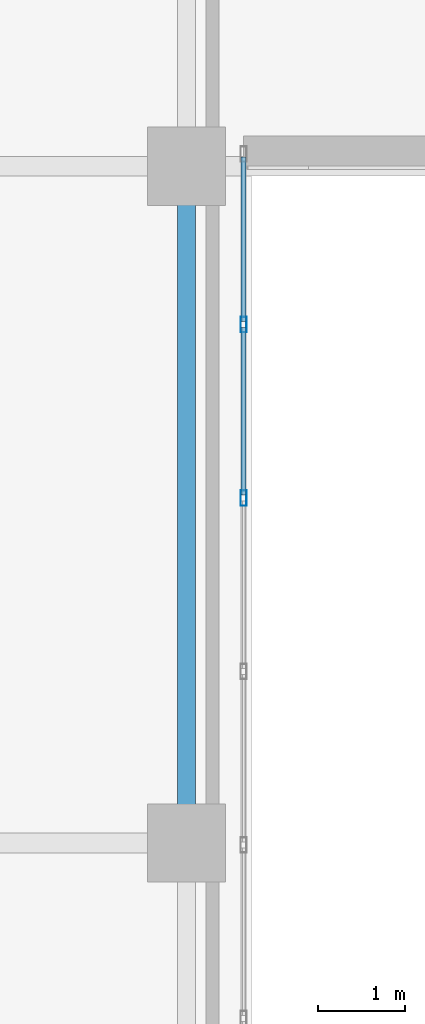
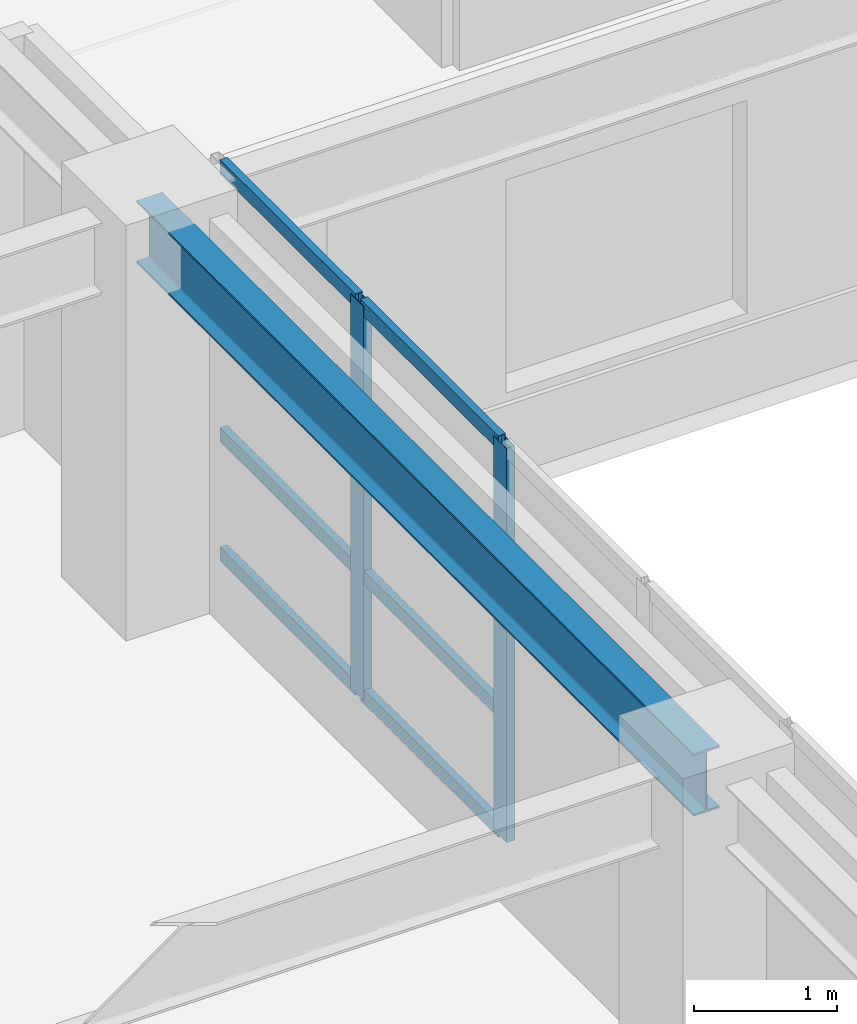
# One storey, part 3 of 24: 8 members, 1 beam, 1 element without a shape of its own.
"""IFC4 building model written with IfcOpenShell, lengths in metres."""

from ifc_helpers import new_model, si_unit, direction, frame, origin, origin_2d, place, context, subcontext, project, spatial, hollow_rectangle, i_section, extrude, source, transform, mapped, material, layer, layer_set, material_profile, profile_set, type_object, type_shapes, element, aggregate, save


model = new_model("IFC4")

# Units and contexts
model_context = context("Model", 3, precision=1e-05, world=origin(), true_north=direction((0.0, 1.0)))
body_context = subcontext(model_context, "Body", "Model", "MODEL_VIEW")
ifc_project = project(units=[si_unit("LENGTHUNIT", "METRE"), si_unit("AREAUNIT", "SQUARE_METRE"), si_unit("VOLUMEUNIT", "CUBIC_METRE"), si_unit("PLANEANGLEUNIT", "RADIAN"), si_unit("MASSUNIT", "GRAM", prefix="KILO")], contexts=[model_context])

# Site, building, storey
site_placement = place(None, origin())
site = spatial("IfcSite", under=ifc_project, at=site_placement, CompositionType="ELEMENT")
building_placement = place(site_placement, origin())
building = spatial("IfcBuilding", under=site, at=building_placement, Name="Tolvann Quenvar Hotel", CompositionType="ELEMENT")
storey_placement = place(building_placement, frame((0.0, 0.0, 88.800048828125)))
storey = spatial("IfcBuildingStorey", under=building, at=storey_placement, Name="L22", CompositionType="ELEMENT", Elevation=88.800048828125)

# Beam
ifc_material_1 = material(Name="Steel Grade 350", Category="steel")
ifc_material_profile_1 = material_profile(ifc_material_1, i_section(OverallWidth=0.208984375, OverallDepth=0.532958984375, WebThickness=0.01025390625, FlangeThickness=0.015625, FilletRadius=0.013916015625, at=origin_2d()), Name="530UB92")
ifc_profile_set_1 = profile_set([ifc_material_profile_1], Name="Steel Grade 350")
beam_type = type_object("IfcBeamType", Name="BM_GIRD_530UB92", PredefinedType="BEAM", material=ifc_profile_set_1)
shared_shape_1 = source(origin(), body_context, "Body", "SweptSolid", [
    extrude(i_section(OverallWidth=0.208984375, OverallDepth=0.532958984375, WebThickness=0.01025390625, FlangeThickness=0.015625, FilletRadius=0.013916015625, at=origin_2d()), origin(), (0.0, 0.0, 1.0), 7.800048828125),
])
type_shapes(beam_type, [shared_shape_1])
beam_placement = place(storey_placement, frame((22.050048828125, 8.199951171875, 3.103515625), z_axis=(0.0, 1.0, 0.0), x_axis=(-1.0, 0.0, 0.0)))
element("IfcBeam", 1, at=beam_placement, inside=storey, type_object=beam_type, Name="BM-L22-NS-E3-E4", PredefinedType="BEAM", context=body_context, shape_type="MappedRepresentation", body=[
    mapped(shared_shape_1, transform((0.0, 0.0, 0.0), x_axis=(1.0, 0.0, 0.0), y_axis=(0.0, 1.0, 0.0), z_axis=(0.0, 0.0, 1.0), scale=1.0)),
])

# Curtain wall, members
ifc_material_2 = material(Name="Thermally broken anodised architectural aluminium 6063-T6 and laminated low-E glass", Category="aluminium")
ifc_layer = layer(ifc_material_2, 0.179931640625)
ifc_layer_set = layer_set([ifc_layer], Name="Thermally broken anodised architectural aluminium 6063-T6 and laminated low-E glass")
curtain_wall_type = type_object("IfcCurtainWallType", Name="CW_SYS_SLOT_03", PredefinedType="USERDEFINED", material=ifc_layer_set)
curtain_wall_placement = place(storey_placement, origin())
curtain_wall = element("IfcCurtainWall", 2, at=curtain_wall_placement, inside=storey, type_object=curtain_wall_type, Name="Curtain Wall CW-SLOT-03 (CWR-L22-E05)", ObjectType="UNITISED CURTAIN WALL", PredefinedType="USERDEFINED")
ifc_material_3 = material(Name="Anodised architectural aluminium 6063-T6 framing", Category="aluminium")
ifc_material_profile_2 = material_profile(ifc_material_3, hollow_rectangle(XDim=0.06005859375, YDim=0.1201171875, WallThickness=0.00341796875, at=origin_2d()), Name="120x60x3.5RHS")
ifc_profile_set_2 = profile_set([ifc_material_profile_2], Name="Anodised architectural aluminium 6063-T6 framing")
member_type_1 = type_object("IfcMemberType", Name="CW_TRAN_120x60", PredefinedType="USERDEFINED", material=ifc_profile_set_2)
shared_shape_2 = source(origin(), body_context, "Body", "SweptSolid", [
    extrude(hollow_rectangle(XDim=0.06005859375, YDim=0.1201171875, WallThickness=0.00341796875, at=origin_2d()), origin(), (0.0, 0.0, 1.0), 1.929931640625),
])
member_1_placement = place(storey_placement, frame((22.7099609375, 12.2099609375, 0.030029296875), z_axis=(0.0, 1.0, 0.0), x_axis=(-1.0, 0.0, 0.0)))
member_1 = element("IfcMember", 3, at=member_1_placement, type_object=member_type_1, Name="CW-SLOT-03 transom 7.1", ObjectType="TRANSOM", PredefinedType="USERDEFINED", context=body_context, shape_type="MappedRepresentation", body=[
    mapped(shared_shape_2, transform((0.0, 0.0, 0.0), x_axis=(1.0, 0.0, 0.0), y_axis=(0.0, 1.0, 0.0), z_axis=(0.0, 0.0, 1.0), scale=1.0)),
])
member_2_placement = place(storey_placement, frame((22.7099609375, 12.2099609375, 1.050048828125), z_axis=(0.0, 1.0, 0.0), x_axis=(-1.0, 0.0, 0.0)))
member_2 = element("IfcMember", 4, at=member_2_placement, type_object=member_type_1, Name="CW-SLOT-03 transom 7.2", ObjectType="TRANSOM", PredefinedType="USERDEFINED", context=body_context, shape_type="MappedRepresentation", body=[
    mapped(shared_shape_2, transform((0.0, 0.0, 0.0), x_axis=(1.0, 0.0, 0.0), y_axis=(0.0, 1.0, 0.0), z_axis=(0.0, 0.0, 1.0), scale=1.0)),
])
member_3_placement = place(storey_placement, frame((22.7099609375, 12.2099609375, 3.33984375), z_axis=(0.0, 1.0, 0.0), x_axis=(-1.0, 0.0, 0.0)))
member_3 = element("IfcMember", 5, at=member_3_placement, type_object=member_type_1, Name="CW-SLOT-03 transom 7.3", ObjectType="TRANSOM", PredefinedType="USERDEFINED", context=body_context, shape_type="MappedRepresentation", body=[
    mapped(shared_shape_2, transform((0.0, 0.0, 0.0), x_axis=(1.0, 0.0, 0.0), y_axis=(0.0, 1.0, 0.0), z_axis=(0.0, 0.0, 1.0), scale=1.0)),
])
shared_shape_3 = source(origin(), body_context, "Body", "SweptSolid", [
    extrude(hollow_rectangle(XDim=0.06005859375, YDim=0.1201171875, WallThickness=0.00341796875, at=origin_2d()), origin(), (0.0, 0.0, 1.0), 1.89501953125),
])
type_shapes(member_type_1, [shared_shape_2, shared_shape_3])
member_4_placement = place(storey_placement, frame((22.7099609375, 14.2099609375, 0.030029296875), z_axis=(0.0, 1.0, 0.0), x_axis=(-1.0, 0.0, 0.0)))
member_4 = element("IfcMember", 6, at=member_4_placement, type_object=member_type_1, Name="CW-SLOT-03 transom 8.1", ObjectType="TRANSOM", PredefinedType="USERDEFINED", context=body_context, shape_type="MappedRepresentation", body=[
    mapped(shared_shape_3, transform((0.0, 0.0, 0.0), x_axis=(1.0, 0.0, 0.0), y_axis=(0.0, 1.0, 0.0), z_axis=(0.0, 0.0, 1.0), scale=1.0)),
])
member_5_placement = place(storey_placement, frame((22.7099609375, 14.2099609375, 1.050048828125), z_axis=(0.0, 1.0, 0.0), x_axis=(-1.0, 0.0, 0.0)))
member_5 = element("IfcMember", 7, at=member_5_placement, type_object=member_type_1, Name="CW-SLOT-03 transom 8.2", ObjectType="TRANSOM", PredefinedType="USERDEFINED", context=body_context, shape_type="MappedRepresentation", body=[
    mapped(shared_shape_3, transform((0.0, 0.0, 0.0), x_axis=(1.0, 0.0, 0.0), y_axis=(0.0, 1.0, 0.0), z_axis=(0.0, 0.0, 1.0), scale=1.0)),
])
member_6_placement = place(storey_placement, frame((22.7099609375, 14.2099609375, 3.33984375), z_axis=(0.0, 1.0, 0.0), x_axis=(-1.0, 0.0, 0.0)))
member_6 = element("IfcMember", 8, at=member_6_placement, type_object=member_type_1, Name="CW-SLOT-03 transom 8.3", ObjectType="TRANSOM", PredefinedType="USERDEFINED", context=body_context, shape_type="MappedRepresentation", body=[
    mapped(shared_shape_3, transform((0.0, 0.0, 0.0), x_axis=(1.0, 0.0, 0.0), y_axis=(0.0, 1.0, 0.0), z_axis=(0.0, 0.0, 1.0), scale=1.0)),
])
ifc_material_profile_3 = material_profile(ifc_material_3, hollow_rectangle(XDim=0.070068359375, YDim=0.179931640625, WallThickness=0.00390625, at=origin_2d()), Name="180x70x4RHS")
ifc_profile_set_3 = profile_set([ifc_material_profile_3], Name="Anodised architectural aluminium 6063-T6 framing")
member_type_2 = type_object("IfcMemberType", Name="CW_MULL_180x70", PredefinedType="MULLION", material=ifc_profile_set_3)
shared_shape_4 = source(origin(), body_context, "Body", "SweptSolid", [
    extrude(hollow_rectangle(XDim=0.070068359375, YDim=0.179931640625, WallThickness=0.00390625, at=origin_2d()), origin(), (0.0, 0.0, 1.0), 3.369873046875),
])
type_shapes(member_type_2, [shared_shape_4])
member_7_placement = place(storey_placement, frame((22.7099609375, 12.175048828125, 0.0), z_axis=(0.0, 0.0, 1.0), x_axis=(-1.0, 0.0, 0.0)))
member_7 = element("IfcMember", 9, at=member_7_placement, type_object=member_type_2, Name="CW-SLOT-03 mullion 7", PredefinedType="MULLION", context=body_context, shape_type="MappedRepresentation", body=[
    mapped(shared_shape_4, transform((0.0, 0.0, 0.0), x_axis=(1.0, 0.0, 0.0), y_axis=(0.0, 1.0, 0.0), z_axis=(0.0, 0.0, 1.0), scale=1.0)),
])
member_8_placement = place(storey_placement, frame((22.7099609375, 14.175048828125, 0.0), z_axis=(0.0, 0.0, 1.0), x_axis=(-1.0, 0.0, 0.0)))
member_8 = element("IfcMember", 10, at=member_8_placement, type_object=member_type_2, Name="CW-SLOT-03 mullion 8", PredefinedType="MULLION", context=body_context, shape_type="MappedRepresentation", body=[
    mapped(shared_shape_4, transform((0.0, 0.0, 0.0), x_axis=(1.0, 0.0, 0.0), y_axis=(0.0, 1.0, 0.0), z_axis=(0.0, 0.0, 1.0), scale=1.0)),
])
aggregate(curtain_wall, [member_7, member_8, member_1, member_2, member_3, member_4, member_5, member_6])

save(model, "model.ifc")
